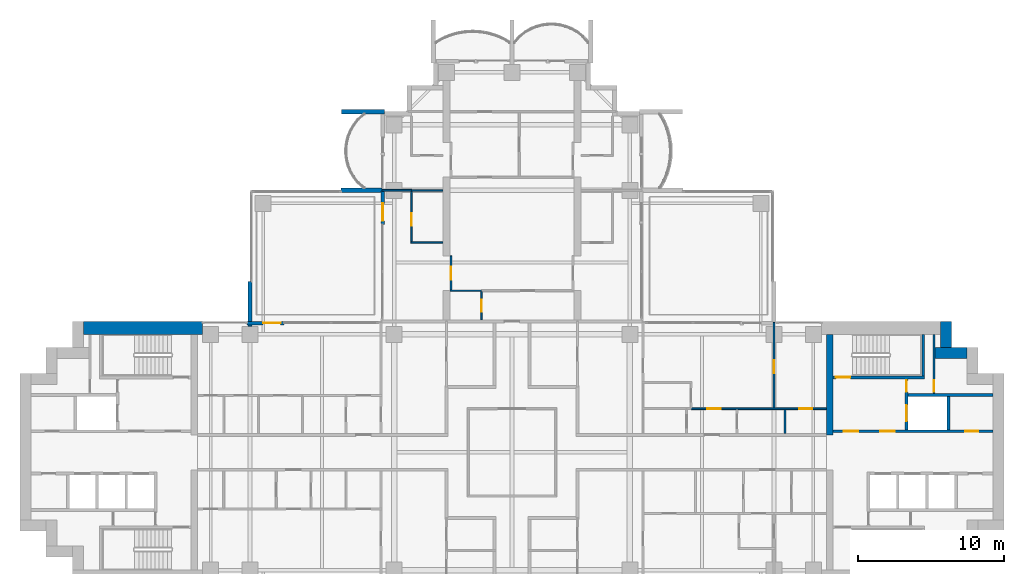
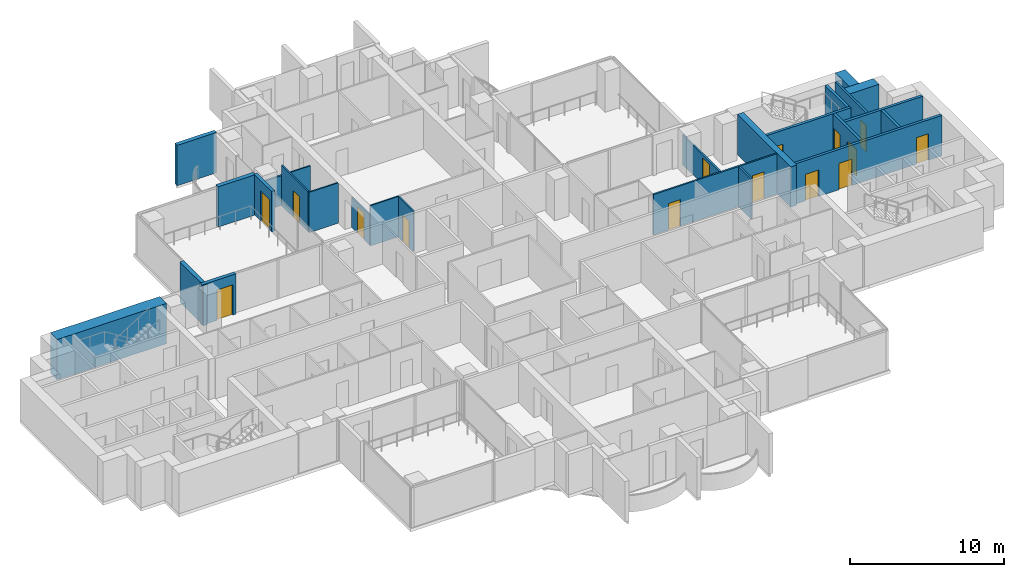
# One storey, part 13 of 19: 26 walls, 15 doors, 15 openings.
"""IFC4 building model written with IfcOpenShell, lengths in metres."""

from ifc_helpers import new_model, si_unit, direction, frame, frame_2d, origin, place, context, subcontext, project, spatial, rectangle, extrude, material, layer, layer_set, type_object, element, fill, save


model = new_model("IFC4")

# Units and contexts
model_context = context("Model", 3, precision=1e-05, world=origin(), true_north=direction((0.0, 1.0)))
body_context = subcontext(model_context, "Body", "Model", "MODEL_VIEW")
ifc_project = project(units=[si_unit("LENGTHUNIT", "METRE"), si_unit("AREAUNIT", "SQUARE_METRE"), si_unit("VOLUMEUNIT", "CUBIC_METRE"), si_unit("PLANEANGLEUNIT", "RADIAN"), si_unit("MASSUNIT", "GRAM", prefix="KILO")], contexts=[model_context])

# Site, building, storey
site_placement = place(None, origin())
site = spatial("IfcSite", under=ifc_project, at=site_placement, CompositionType="ELEMENT")
building_placement = place(site_placement, origin())
building = spatial("IfcBuilding", under=site, at=building_placement, Name="Perihelion Cross Residences", CompositionType="ELEMENT")
storey_placement = place(building_placement, frame((0.0, 0.0, 151.39990234375)))
storey = spatial("IfcBuildingStorey", under=building, at=storey_placement, Name="L37", CompositionType="ELEMENT", Elevation=151.39990234375)

# Wall, opening, door
ifc_material_1 = material(Name="Concrete C30/37, bronze-clad", Category="concrete")
ifc_layer_1 = layer(ifc_material_1, 0.25)
ifc_layer_set_1 = layer_set([ifc_layer_1], Name="Bronze-clad pier wall 250")
wall_type_1 = type_object("IfcWallType", Name="Bronze-clad pier wall 250", PredefinedType="SOLIDWALL", material=ifc_layer_set_1)
wall_1_placement = place(storey_placement, frame((-8.875, 17.93994140625, 0.0), z_axis=(0.0, 0.0, 1.0), x_axis=(0.0, -1.0, 0.0)))
wall_1 = element("IfcWall", 1, at=wall_1_placement, inside=storey, type_object=wall_type_1, Name="Wall FW1 L37 north side west bay 2 pier", PredefinedType="SOLIDWALL", context=body_context, shape_type="SweptSolid", body=[
    extrude(rectangle(XDim=2.2900390625, YDim=0.25, at=frame_2d((1.14501953125, 0.0))), origin(), (0.0, 0.0, 1.0), 3.2001953125),
])
opening_1_placement = place(wall_1_placement, frame((0.840087890625, 0.0, 0.0)))
opening_1 = element("IfcOpeningElement", 2, at=opening_1_placement, cuts=wall_1, Name="Opening L37.E07", PredefinedType="OPENING", context=body_context, shape_type="SweptSolid", body=[
    extrude(rectangle(XDim=1.199951171875, YDim=2.39990234375, at=frame_2d((0.60009765625, 1.199951171875))), frame((0.0, 0.135009765625, 0.0), z_axis=(0.0, -1.0, 0.0), x_axis=(1.0, 0.0, 0.0)), (0.0, 0.0, 1.0), 0.27001953125),
])
ifc_material_2 = material(Name="Bronze anodised aluminium, glazed", Category="aluminium")
door_type_1 = type_object("IfcDoorType", Name="Balcony door 1200 x 2400", OperationType="NOTDEFINED", PredefinedType="DOOR", material=ifc_material_2)
door_1_placement = place(opening_1_placement, origin())
door_1 = element("IfcDoor", 3, at=door_1_placement, inside=storey, type_object=door_type_1, Name="Door L37.E07 north side west bay 2", OperationType="SINGLE_SWING_RIGHT", OverallHeight=2.39990234375, OverallWidth=1.199951171875, PredefinedType="DOOR", context=body_context, shape_type="SweptSolid", body=[
    extrude(rectangle(XDim=1.199951171875, YDim=2.39990234375, at=frame_2d((0.60009765625, 1.199951171875))), frame((0.0, 0.02490234375, 0.0), z_axis=(0.0, -1.0, 0.0), x_axis=(1.0, 0.0, 0.0)), (0.0, 0.0, 1.0), 0.050048828125),
])
fill(opening_1, door_1)

wall_2_placement = place(storey_placement, frame((-15.64990234375, 8.875, 0.0), z_axis=(0.0, 0.0, 1.0), x_axis=(-1.0, 0.0, 0.0)))
wall_2 = element("IfcWall", 4, at=wall_2_placement, inside=storey, type_object=wall_type_1, Name="Wall FW1 L37 west side north bay 1 pier", PredefinedType="SOLIDWALL", context=body_context, shape_type="SweptSolid", body=[
    extrude(rectangle(XDim=2.550048828125, YDim=0.25, at=frame_2d((1.27490234375, 0.0))), origin(), (0.0, 0.0, 1.0), 3.2001953125),
])
opening_2_placement = place(wall_2_placement, frame((0.25, 0.0, 0.0)))
opening_2 = element("IfcOpeningElement", 5, at=opening_2_placement, cuts=wall_2, Name="Opening L37.E08", PredefinedType="OPENING", context=body_context, shape_type="SweptSolid", body=[
    extrude(rectangle(XDim=1.199951171875, YDim=2.39990234375, at=frame_2d((0.60009765625, 1.199951171875))), frame((0.0, 0.135009765625, 0.0), z_axis=(0.0, -1.0, 0.0), x_axis=(1.0, 0.0, 0.0)), (0.0, 0.0, 1.0), 0.27001953125),
])
door_2_placement = place(opening_2_placement, origin())
door_2 = element("IfcDoor", 6, at=door_2_placement, inside=storey, type_object=door_type_1, Name="Door L37.E08 west side north bay 1", OperationType="SINGLE_SWING_LEFT", OverallHeight=2.39990234375, OverallWidth=1.199951171875, PredefinedType="DOOR", context=body_context, shape_type="SweptSolid", body=[
    extrude(rectangle(XDim=1.199951171875, YDim=2.39990234375, at=frame_2d((0.60009765625, 1.199951171875))), frame((0.0, 0.02490234375, 0.0), z_axis=(0.0, -1.0, 0.0), x_axis=(1.0, 0.0, 0.0)), (0.0, 0.0, 1.0), 0.050048828125),
])
fill(opening_2, door_2)

# Walls
ifc_material_3 = material(Name="Concrete C60/75", Category="concrete")
ifc_layer_2 = layer(ifc_material_3, 0.449951171875)
ifc_layer_set_2 = layer_set([ifc_layer_2], Name="Core wall, inner 450")
wall_type_2 = type_object("IfcWallType", Name="Core wall, inner 450", PredefinedType="SHEAR", material=ifc_layer_set_2)
wall_3_placement = place(storey_placement, frame((21.824951171875, 1.199951171875, 0.0), z_axis=(0.0, 0.0, 1.0), x_axis=(0.0, 1.0, 0.0)))
element("IfcWall", 7, at=wall_3_placement, inside=storey, type_object=wall_type_2, Name="East core core wall, inner", PredefinedType="SHEAR", context=body_context, shape_type="SweptSolid", body=[
    extrude(rectangle(XDim=6.900146484375, YDim=0.449951171875, at=frame_2d((3.4501953125, 0.0))), origin(), (0.0, 0.0, 1.0), 3.2001953125),
])
ifc_material_4 = material(Name="Concrete C60/75", Category="concrete")
ifc_layer_3 = layer(ifc_material_4, 0.75)
ifc_layer_set_3 = layer_set([ifc_layer_3], Name="Core wall, outer 750")
wall_type_3 = type_object("IfcWallType", Name="Core wall, outer 750", PredefinedType="SHEAR", material=ifc_layer_set_3)
wall_4_placement = place(storey_placement, frame((29.074951171875, 6.824951171875, 0.0), z_axis=(0.0, 0.0, 1.0), x_axis=(1.0, 0.0, 0.0)))
element("IfcWall", 8, at=wall_4_placement, inside=storey, type_object=wall_type_3, Name="East core core wall, outer", PredefinedType="SHEAR", context=body_context, shape_type="SweptSolid", body=[
    extrude(rectangle(XDim=2.175048828125, YDim=0.75, at=frame_2d((1.08740234375, 0.0))), origin(), (0.0, 0.0, 1.0), 3.2001953125),
])
wall_5_placement = place(storey_placement, frame((29.824951171875, 7.199951171875, 0.0), z_axis=(0.0, 0.0, 1.0), x_axis=(0.0, 1.0, 0.0)))
element("IfcWall", 9, at=wall_5_placement, inside=storey, type_object=wall_type_3, Name="East core core wall, outer", PredefinedType="SHEAR", context=body_context, shape_type="SweptSolid", body=[
    extrude(rectangle(XDim=1.800048828125, YDim=0.75, at=frame_2d((0.89990234375, 0.0))), origin(), (0.0, 0.0, 1.0), 3.2001953125),
])
ifc_material_5 = material(Name="Concrete C60/75", Category="concrete")
ifc_layer_4 = layer(ifc_material_5, 0.89990234375)
ifc_layer_set_4 = layer_set([ifc_layer_4], Name="Core wall, outer 900")
wall_type_4 = type_object("IfcWallType", Name="Core wall, outer 900", PredefinedType="SHEAR", material=ifc_layer_set_4)
wall_6_placement = place(storey_placement, frame((-29.449951171875, 8.550048828125, 0.0), z_axis=(0.0, 0.0, 1.0), x_axis=(1.0, 0.0, 0.0)))
element("IfcWall", 10, at=wall_6_placement, inside=storey, type_object=wall_type_4, Name="West core core wall, outer", PredefinedType="SHEAR", context=body_context, shape_type="SweptSolid", body=[
    extrude(rectangle(XDim=8.199951171875, YDim=0.89990234375, at=frame_2d((4.10009765625, 0.0))), origin(), (0.0, 0.0, 1.0), 3.2001953125),
])

# Wall, opening, door
ifc_material_6 = material(Name="Plasterboard partition")
ifc_layer_5 = layer(ifc_material_6, 0.1201171875)
ifc_layer_set_5 = layer_set([ifc_layer_5], Name="Infill panel 120")
wall_type_5 = type_object("IfcWallType", Name="Infill panel 120", PredefinedType="PARTITIONING", material=ifc_layer_set_5)
wall_7_placement = place(storey_placement, frame((-4.18994140625, 11.10009765625, 0.0), z_axis=(0.0, 0.0, 1.0), x_axis=(0.0, 1.0, 0.0)))
wall_7 = element("IfcWall", 11, at=wall_7_placement, inside=storey, type_object=wall_type_5, Name="Partition L37 WI03", PredefinedType="PARTITIONING", context=body_context, shape_type="SweptSolid", body=[
    extrude(rectangle(XDim=2.39990234375, YDim=0.1201171875, at=frame_2d((1.199951171875, 0.0))), origin(), (0.0, 0.0, 1.0), 2.400146484375),
])
opening_3_placement = place(wall_7_placement, frame((0.75, 0.0, 0.0)))
opening_3 = element("IfcOpeningElement", 12, at=opening_3_placement, cuts=wall_7, Name="Opening L37.A56", PredefinedType="OPENING", context=body_context, shape_type="SweptSolid", body=[
    extrude(rectangle(XDim=0.89990234375, YDim=2.10009765625, at=frame_2d((0.449951171875, 1.050048828125))), frame((0.0, 0.070068359375, 0.0), z_axis=(0.0, -1.0, 0.0), x_axis=(1.0, 0.0, 0.0)), (0.0, 0.0, 1.0), 0.14013671875),
])
ifc_material_7 = material(Name="Timber door leaf", Category="wood")
door_type_2 = type_object("IfcDoorType", Name="Interior room door 900 x 2100", OperationType="SINGLE_SWING_LEFT", PredefinedType="DOOR", material=ifc_material_7)
door_3_placement = place(opening_3_placement, origin())
door_3 = element("IfcDoor", 13, at=door_3_placement, inside=storey, type_object=door_type_2, Name="Door L37.A56", OperationType="SINGLE_SWING_LEFT", OverallHeight=2.10009765625, OverallWidth=0.89990234375, PredefinedType="DOOR", context=body_context, shape_type="SweptSolid", body=[
    extrude(rectangle(XDim=0.89990234375, YDim=2.10009765625, at=frame_2d((0.449951171875, 1.050048828125))), frame((0.0, 0.02490234375, 0.0), z_axis=(0.0, -1.0, 0.0), x_axis=(1.0, 0.0, 0.0)), (0.0, 0.0, 1.0), 0.050048828125),
])
fill(opening_3, door_3)

# Wall, openings, doors
ifc_material_8 = material(Name="Plasterboard partition")
ifc_layer_6 = layer(ifc_material_8, 0.1201171875)
ifc_layer_set_6 = layer_set([ifc_layer_6], Name="Partition wall 120")
wall_type_6 = type_object("IfcWallType", Name="Partition wall 120", PredefinedType="PARTITIONING", material=ifc_layer_set_6)
wall_8_placement = place(storey_placement, frame((12.300048828125, 3.0, 0.0), z_axis=(0.0, 0.0, 1.0), x_axis=(1.0, 0.0, 0.0)))
wall_8 = element("IfcWall", 14, at=wall_8_placement, inside=storey, type_object=wall_type_6, Name="Partition L37 W027", PredefinedType="PARTITIONING", context=body_context, shape_type="SweptSolid", body=[
    extrude(rectangle(XDim=9.300048828125, YDim=0.1201171875, at=frame_2d((4.64990234375, 0.0))), origin(), (0.0, 0.0, 1.0), 3.2001953125),
])
opening_4_placement = place(wall_8_placement, frame((1.125, 0.0, 0.0)))
opening_4 = element("IfcOpeningElement", 15, at=opening_4_placement, cuts=wall_8, Name="Opening L37.A06", PredefinedType="OPENING", context=body_context, shape_type="SweptSolid", body=[
    extrude(rectangle(XDim=0.89990234375, YDim=2.10009765625, at=frame_2d((0.449951171875, 1.050048828125))), frame((0.0, 0.070068359375, 0.0), z_axis=(0.0, -1.0, 0.0), x_axis=(1.0, 0.0, 0.0)), (0.0, 0.0, 1.0), 0.14013671875),
])
opening_5_placement = place(wall_8_placement, frame((7.425048828125, 0.0, 0.0)))
opening_5 = element("IfcOpeningElement", 16, at=opening_5_placement, cuts=wall_8, Name="Opening L37.A09", PredefinedType="OPENING", context=body_context, shape_type="SweptSolid", body=[
    extrude(rectangle(XDim=0.89990234375, YDim=2.10009765625, at=frame_2d((0.449951171875, 1.050048828125))), frame((0.0, 0.070068359375, 0.0), z_axis=(0.0, -1.0, 0.0), x_axis=(1.0, 0.0, 0.0)), (0.0, 0.0, 1.0), 0.14013671875),
])
door_4_placement = place(opening_4_placement, origin())
door_4 = element("IfcDoor", 17, at=door_4_placement, inside=storey, type_object=door_type_2, Name="Door L37.A06", OperationType="SINGLE_SWING_RIGHT", OverallHeight=2.10009765625, OverallWidth=0.89990234375, PredefinedType="DOOR", context=body_context, shape_type="SweptSolid", body=[
    extrude(rectangle(XDim=0.89990234375, YDim=2.10009765625, at=frame_2d((0.449951171875, 1.050048828125))), frame((0.0, 0.02490234375, 0.0), z_axis=(0.0, -1.0, 0.0), x_axis=(1.0, 0.0, 0.0)), (0.0, 0.0, 1.0), 0.050048828125),
])
fill(opening_4, door_4)
door_5_placement = place(opening_5_placement, origin())
door_5 = element("IfcDoor", 18, at=door_5_placement, inside=storey, type_object=door_type_2, Name="Door L37.A09", OperationType="SINGLE_SWING_LEFT", OverallHeight=2.10009765625, OverallWidth=0.89990234375, PredefinedType="DOOR", context=body_context, shape_type="SweptSolid", body=[
    extrude(rectangle(XDim=0.89990234375, YDim=2.10009765625, at=frame_2d((0.449951171875, 1.050048828125))), frame((0.0, 0.02490234375, 0.0), z_axis=(0.0, -1.0, 0.0), x_axis=(1.0, 0.0, 0.0)), (0.0, 0.0, 1.0), 0.050048828125),
])
fill(opening_5, door_5)

# Wall
wall_9_placement = place(storey_placement, frame((18.75, 2.93994140625, 0.0), z_axis=(0.0, 0.0, 1.0), x_axis=(0.0, -1.0, 0.0)))
element("IfcWall", 19, at=wall_9_placement, inside=storey, type_object=wall_type_6, Name="Partition L37 W028", PredefinedType="PARTITIONING", context=body_context, shape_type="SweptSolid", body=[
    extrude(rectangle(XDim=1.639892578125, YDim=0.1201171875, at=frame_2d((0.81982421875, 0.0))), origin(), (0.0, 0.0, 1.0), 3.2001953125),
])

# Wall, opening, door
wall_10_placement = place(storey_placement, frame((18.0, 8.919921875, 0.0), z_axis=(0.0, 0.0, 1.0), x_axis=(0.0, -1.0, 0.0)))
wall_10 = element("IfcWall", 20, at=wall_10_placement, inside=storey, type_object=wall_type_6, Name="Partition L37 W031", PredefinedType="PARTITIONING", context=body_context, shape_type="SweptSolid", body=[
    extrude(rectangle(XDim=5.85986328125, YDim=0.1201171875, at=frame_2d((2.929931640625, 0.0))), origin(), (0.0, 0.0, 1.0), 2.364013671875),
])
opening_6_placement = place(wall_10_placement, frame((2.590087890625, 0.0, 0.0)))
opening_6 = element("IfcOpeningElement", 21, at=opening_6_placement, cuts=wall_10, Name="Opening L37.A02", PredefinedType="OPENING", context=body_context, shape_type="SweptSolid", body=[
    extrude(rectangle(XDim=0.89990234375, YDim=2.10009765625, at=frame_2d((0.449951171875, 1.050048828125))), frame((0.0, 0.070068359375, 0.0), z_axis=(0.0, -1.0, 0.0), x_axis=(1.0, 0.0, 0.0)), (0.0, 0.0, 1.0), 0.14013671875),
])
door_6_placement = place(opening_6_placement, origin())
door_6 = element("IfcDoor", 22, at=door_6_placement, inside=storey, type_object=door_type_2, Name="Door L37.A02", OperationType="SINGLE_SWING_LEFT", OverallHeight=2.10009765625, OverallWidth=0.89990234375, PredefinedType="DOOR", context=body_context, shape_type="SweptSolid", body=[
    extrude(rectangle(XDim=0.89990234375, YDim=2.10009765625, at=frame_2d((0.449951171875, 1.050048828125))), frame((0.0, 0.02490234375, 0.0), z_axis=(0.0, -1.0, 0.0), x_axis=(1.0, 0.0, 0.0)), (0.0, 0.0, 1.0), 0.050048828125),
])
fill(opening_6, door_6)

# Walls
wall_11_placement = place(storey_placement, frame((-8.919921875, 18.0, 0.0), z_axis=(0.0, 0.0, 1.0), x_axis=(1.0, 0.0, 0.0)))
element("IfcWall", 23, at=wall_11_placement, inside=storey, type_object=wall_type_6, Name="Partition L37 W082", PredefinedType="PARTITIONING", context=body_context, shape_type="SweptSolid", body=[
    extrude(rectangle(XDim=2.02001953125, YDim=0.1201171875, at=frame_2d((1.010009765625, 0.0))), origin(), (0.0, 0.0, 1.0), 2.364013671875),
])
ifc_material_9 = material(Name="Precast concrete C50/60", Category="concrete")
ifc_layer_7 = layer(ifc_material_9, 0.300048828125)
ifc_layer_set_7 = layer_set([ifc_layer_7], Name="Precast concrete C50/60 blade wall 300")
wall_type_7 = type_object("IfcWallType", Name="Precast concrete C50/60 blade wall 300", PredefinedType="SOLIDWALL", material=ifc_layer_set_7)
wall_12_placement = place(storey_placement, frame((-18.0, 8.64990234375, 0.0), z_axis=(0.0, 0.0, 1.0), x_axis=(0.0, 1.0, 0.0)))
element("IfcWall", 24, at=wall_12_placement, inside=storey, type_object=wall_type_7, Name="Wall BL1 L37 no. 2", PredefinedType="SOLIDWALL", context=body_context, shape_type="SweptSolid", body=[
    extrude(rectangle(XDim=3.090087890625, YDim=0.300048828125, at=frame_2d((1.544921875, 0.0))), origin(), (0.0, 0.0, 1.0), 3.2001953125),
])
wall_13_placement = place(storey_placement, frame((-8.919921875, 18.0, 0.0), z_axis=(0.0, 0.0, 1.0), x_axis=(-1.0, 0.0, 0.0)))
element("IfcWall", 25, at=wall_13_placement, inside=storey, type_object=wall_type_7, Name="Wall BL1 L37 no. 6", PredefinedType="SOLIDWALL", context=body_context, shape_type="SweptSolid", body=[
    extrude(rectangle(XDim=2.820068359375, YDim=0.300048828125, at=frame_2d((1.41015625, 0.0))), origin(), (0.0, 0.0, 1.0), 3.2001953125),
])
wall_14_placement = place(storey_placement, frame((-8.75, 23.39990234375, 0.0), z_axis=(0.0, 0.0, 1.0), x_axis=(-1.0, 0.0, 0.0)))
element("IfcWall", 26, at=wall_14_placement, inside=storey, type_object=wall_type_7, Name="Wall BL1 L37 no. 7", PredefinedType="SOLIDWALL", context=body_context, shape_type="SweptSolid", body=[
    extrude(rectangle(XDim=2.949951171875, YDim=0.300048828125, at=frame_2d((1.47509765625, 0.0))), origin(), (0.0, 0.0, 1.0), 3.2001953125),
])

# Wall, opening, door
ifc_material_10 = material(Name="Fire-rated board on steel stud", Category="steel")
ifc_layer_8 = layer(ifc_material_10, 0.14990234375)
ifc_layer_set_8 = layer_set([ifc_layer_8], Name="Riser wall 150")
wall_type_8 = type_object("IfcWallType", Name="Riser wall 150", PredefinedType="PARTITIONING", material=ifc_layer_set_8)
wall_15_placement = place(storey_placement, frame((29.0, 4.050048828125, 0.0), z_axis=(0.0, 0.0, 1.0), x_axis=(0.0, 1.0, 0.0)))
wall_15 = element("IfcWall", 27, at=wall_15_placement, inside=storey, type_object=wall_type_8, Name="East core riser wall", PredefinedType="PARTITIONING", context=body_context, shape_type="SweptSolid", body=[
    extrude(rectangle(XDim=4.050048828125, YDim=0.14990234375, at=frame_2d((2.02490234375, 0.0))), origin(), (0.0, 0.0, 1.0), 3.2001953125),
])
opening_7_placement = place(wall_15_placement, frame((0.10009765625, 0.0, 0.0)))
opening_7 = element("IfcOpeningElement", 28, at=opening_7_placement, cuts=wall_15, Name="Opening L37.C12", PredefinedType="OPENING", context=body_context, shape_type="SweptSolid", body=[
    extrude(rectangle(XDim=0.800048828125, YDim=2.10009765625, at=frame_2d((0.39990234375, 1.050048828125))), frame((0.0, 0.0849609375, 0.0), z_axis=(0.0, -1.0, 0.0), x_axis=(1.0, 0.0, 0.0)), (0.0, 0.0, 1.0), 0.169921875),
])
ifc_material_11 = material(Name="Steel, powder coated", Category="steel")
door_type_3 = type_object("IfcDoorType", Name="Riser door 800", OperationType="SINGLE_SWING_LEFT", PredefinedType="DOOR", material=ifc_material_11)
door_7_placement = place(opening_7_placement, origin())
door_7 = element("IfcDoor", 29, at=door_7_placement, inside=storey, type_object=door_type_3, Name="East core riser door", OperationType="SINGLE_SWING_LEFT", OverallHeight=2.10009765625, OverallWidth=0.800048828125, PredefinedType="DOOR", context=body_context, shape_type="SweptSolid", body=[
    extrude(rectangle(XDim=0.800048828125, YDim=2.10009765625, at=frame_2d((0.39990234375, 1.050048828125))), frame((0.0, 0.02490234375, 0.0), z_axis=(0.0, -1.0, 0.0), x_axis=(1.0, 0.0, 0.0)), (0.0, 0.0, 1.0), 0.050048828125),
])
fill(opening_7, door_7)

# Wall, openings, doors
ifc_material_12 = material(Name="Concrete C50/60", Category="concrete")
ifc_layer_9 = layer(ifc_material_12, 0.199951171875)
ifc_layer_set_9 = layer_set([ifc_layer_9], Name="Shaft wall 200")
wall_type_9 = type_object("IfcWallType", Name="Shaft wall 200", PredefinedType="SOLIDWALL", material=ifc_layer_set_9)
wall_16_placement = place(storey_placement, frame((22.050048828125, 1.449951171875, 0.0), z_axis=(0.0, 0.0, 1.0), x_axis=(1.0, 0.0, 0.0)))
wall_16 = element("IfcWall", 30, at=wall_16_placement, inside=storey, type_object=wall_type_9, Name="East core shaft wall", PredefinedType="SOLIDWALL", context=body_context, shape_type="SweptSolid", body=[
    extrude(rectangle(XDim=11.0, YDim=0.199951171875, at=frame_2d((5.5, 0.0))), origin(), (0.0, 0.0, 1.0), 3.2001953125),
])
opening_8_placement = place(wall_16_placement, frame((0.75, 0.0, 0.0)))
opening_8 = element("IfcOpeningElement", 31, at=opening_8_placement, cuts=wall_16, Name="Opening L37.C07", PredefinedType="OPENING", context=body_context, shape_type="SweptSolid", body=[
    extrude(rectangle(XDim=1.0, YDim=2.10009765625, at=frame_2d((0.5, 1.050048828125))), frame((0.0, 0.10986328125, 0.0), z_axis=(0.0, -1.0, 0.0), x_axis=(1.0, 0.0, 0.0)), (0.0, 0.0, 1.0), 0.219970703125),
])
opening_9_placement = place(wall_16_placement, frame((3.25, 0.0, 0.0)))
opening_9 = element("IfcOpeningElement", 32, at=opening_9_placement, cuts=wall_16, Name="Opening L37.C09", PredefinedType="OPENING", context=body_context, shape_type="SweptSolid", body=[
    extrude(rectangle(XDim=1.0, YDim=2.10009765625, at=frame_2d((0.5, 1.050048828125))), frame((0.0, 0.10986328125, 0.0), z_axis=(0.0, -1.0, 0.0), x_axis=(1.0, 0.0, 0.0)), (0.0, 0.0, 1.0), 0.219970703125),
])
opening_10_placement = place(wall_16_placement, frame((9.074951171875, 0.0, 0.0)))
opening_10 = element("IfcOpeningElement", 33, at=opening_10_placement, cuts=wall_16, Name="Opening L37.C13", PredefinedType="OPENING", context=body_context, shape_type="SweptSolid", body=[
    extrude(rectangle(XDim=0.89990234375, YDim=2.10009765625, at=frame_2d((0.449951171875, 1.050048828125))), frame((0.0, 0.10986328125, 0.0), z_axis=(0.0, -1.0, 0.0), x_axis=(1.0, 0.0, 0.0)), (0.0, 0.0, 1.0), 0.219970703125),
])
ifc_material_13 = material(Name="Steel, powder coated", Category="steel")
door_type_4 = type_object("IfcDoorType", Name="Lobby door 1000", OperationType="SINGLE_SWING_LEFT", PredefinedType="DOOR", material=ifc_material_13)
door_8_placement = place(opening_8_placement, origin())
door_8 = element("IfcDoor", 34, at=door_8_placement, inside=storey, type_object=door_type_4, Name="East core firefighting lobby door", OperationType="SINGLE_SWING_LEFT", OverallHeight=2.10009765625, OverallWidth=1.0, PredefinedType="DOOR", context=body_context, shape_type="SweptSolid", body=[
    extrude(rectangle(XDim=1.0, YDim=2.10009765625, at=frame_2d((0.5, 1.050048828125))), frame((0.0, 0.02490234375, 0.0), z_axis=(0.0, -1.0, 0.0), x_axis=(1.0, 0.0, 0.0)), (0.0, 0.0, 1.0), 0.050048828125),
])
fill(opening_8, door_8)
door_9_placement = place(opening_9_placement, origin())
door_9 = element("IfcDoor", 35, at=door_9_placement, inside=storey, type_object=door_type_4, Name="East core firefighting lobby door", OperationType="SINGLE_SWING_LEFT", OverallHeight=2.10009765625, OverallWidth=1.0, PredefinedType="DOOR", context=body_context, shape_type="SweptSolid", body=[
    extrude(rectangle(XDim=1.0, YDim=2.10009765625, at=frame_2d((0.5, 1.050048828125))), frame((0.0, 0.02490234375, 0.0), z_axis=(0.0, -1.0, 0.0), x_axis=(1.0, 0.0, 0.0)), (0.0, 0.0, 1.0), 0.050048828125),
])
fill(opening_9, door_9)
ifc_material_14 = material(Name="Steel, powder coated", Category="steel")
door_type_5 = type_object("IfcDoorType", Name="Service room door 900", OperationType="SINGLE_SWING_LEFT", PredefinedType="DOOR", material=ifc_material_14)
door_10_placement = place(opening_10_placement, origin())
door_10 = element("IfcDoor", 36, at=door_10_placement, inside=storey, type_object=door_type_5, Name="East core service room door", OperationType="SINGLE_SWING_LEFT", OverallHeight=2.10009765625, OverallWidth=0.89990234375, PredefinedType="DOOR", context=body_context, shape_type="SweptSolid", body=[
    extrude(rectangle(XDim=0.89990234375, YDim=2.10009765625, at=frame_2d((0.449951171875, 1.050048828125))), frame((0.0, 0.02490234375, 0.0), z_axis=(0.0, -1.0, 0.0), x_axis=(1.0, 0.0, 0.0)), (0.0, 0.0, 1.0), 0.050048828125),
])
fill(opening_10, door_10)

# Wall
wall_17_placement = place(storey_placement, frame((27.199951171875, 3.949951171875, 0.0), z_axis=(0.0, 0.0, 1.0), x_axis=(1.0, 0.0, 0.0)))
element("IfcWall", 37, at=wall_17_placement, inside=storey, type_object=wall_type_9, Name="East core shaft wall", PredefinedType="SOLIDWALL", context=body_context, shape_type="SweptSolid", body=[
    extrude(rectangle(XDim=5.85009765625, YDim=0.199951171875, at=frame_2d((2.925048828125, 0.0))), origin(), (0.0, 0.0, 1.0), 3.2001953125),
])

# Wall, openings, doors
wall_18_placement = place(storey_placement, frame((27.10009765625, 1.550048828125, 0.0), z_axis=(0.0, 0.0, 1.0), x_axis=(0.0, 1.0, 0.0)))
wall_18 = element("IfcWall", 38, at=wall_18_placement, inside=storey, type_object=wall_type_9, Name="East core shaft wall", PredefinedType="SOLIDWALL", context=body_context, shape_type="SweptSolid", body=[
    extrude(rectangle(XDim=3.5, YDim=0.199951171875, at=frame_2d((1.75, 0.0))), origin(), (0.0, 0.0, 1.0), 3.2001953125),
])
opening_11_placement = place(wall_18_placement, frame((0.60009765625, 0.0, 0.0)))
opening_11 = element("IfcOpeningElement", 39, at=opening_11_placement, cuts=wall_18, Name="Opening L37.C02", PredefinedType="OPENING", context=body_context, shape_type="SweptSolid", body=[
    extrude(rectangle(XDim=1.10009765625, YDim=2.10009765625, at=frame_2d((0.550048828125, 1.050048828125))), frame((0.0, 0.10986328125, 0.0), z_axis=(0.0, -1.0, 0.0), x_axis=(1.0, 0.0, 0.0)), (0.0, 0.0, 1.0), 0.219970703125),
])
opening_12_placement = place(wall_18_placement, frame((2.60009765625, 0.0, 0.0)))
opening_12 = element("IfcOpeningElement", 40, at=opening_12_placement, cuts=wall_18, Name="Opening L37.C10", PredefinedType="OPENING", context=body_context, shape_type="SweptSolid", body=[
    extrude(rectangle(XDim=0.800048828125, YDim=2.10009765625, at=frame_2d((0.39990234375, 1.050048828125))), frame((0.0, 0.10986328125, 0.0), z_axis=(0.0, -1.0, 0.0), x_axis=(1.0, 0.0, 0.0)), (0.0, 0.0, 1.0), 0.219970703125),
])
ifc_material_15 = material(Name="Stainless steel", Category="steel")
door_type_6 = type_object("IfcDoorType", Name="Landing door, firefighting lift 1100", OperationType="DOUBLE_DOOR_SLIDING", PredefinedType="DOOR", material=ifc_material_15)
door_11_placement = place(opening_11_placement, origin())
door_11 = element("IfcDoor", 41, at=door_11_placement, inside=storey, type_object=door_type_6, Name="Landing door, East core firefighting and service lift", OperationType="DOUBLE_DOOR_SLIDING", OverallHeight=2.10009765625, OverallWidth=1.10009765625, PredefinedType="DOOR", context=body_context, shape_type="SweptSolid", body=[
    extrude(rectangle(XDim=1.10009765625, YDim=2.10009765625, at=frame_2d((0.550048828125, 1.050048828125))), frame((0.0, 0.02490234375, 0.0), z_axis=(0.0, -1.0, 0.0), x_axis=(1.0, 0.0, 0.0)), (0.0, 0.0, 1.0), 0.050048828125),
])
fill(opening_11, door_11)
door_12_placement = place(opening_12_placement, origin())
door_12 = element("IfcDoor", 42, at=door_12_placement, inside=storey, type_object=door_type_3, Name="East core riser door", OperationType="SINGLE_SWING_LEFT", OverallHeight=2.10009765625, OverallWidth=0.800048828125, PredefinedType="DOOR", context=body_context, shape_type="SweptSolid", body=[
    extrude(rectangle(XDim=0.800048828125, YDim=2.10009765625, at=frame_2d((0.39990234375, 1.050048828125))), frame((0.0, 0.02490234375, 0.0), z_axis=(0.0, -1.0, 0.0), x_axis=(1.0, 0.0, 0.0)), (0.0, 0.0, 1.0), 0.050048828125),
])
fill(opening_12, door_12)

# Wall
wall_19_placement = place(storey_placement, frame((30.0, 1.550048828125, 0.0), z_axis=(0.0, 0.0, 1.0), x_axis=(0.0, 1.0, 0.0)))
element("IfcWall", 43, at=wall_19_placement, inside=storey, type_object=wall_type_9, Name="East core shaft wall", PredefinedType="SOLIDWALL", context=body_context, shape_type="SweptSolid", body=[
    extrude(rectangle(XDim=2.300048828125, YDim=0.199951171875, at=frame_2d((1.14990234375, 0.0))), origin(), (0.0, 0.0, 1.0), 3.2001953125),
])

# Wall, opening, door
ifc_material_16 = material(Name="Concrete C50/60", Category="concrete")
ifc_layer_10 = layer(ifc_material_16, 0.199951171875)
ifc_layer_set_10 = layer_set([ifc_layer_10], Name="Stair wall 200")
wall_type_10 = type_object("IfcWallType", Name="Stair wall 200", PredefinedType="SOLIDWALL", material=ifc_layer_set_10)
wall_20_placement = place(storey_placement, frame((22.050048828125, 5.14990234375, 0.0), z_axis=(0.0, 0.0, 1.0), x_axis=(1.0, 0.0, 0.0)))
wall_20 = element("IfcWall", 44, at=wall_20_placement, inside=storey, type_object=wall_type_10, Name="East core stair wall", PredefinedType="SOLIDWALL", context=body_context, shape_type="SweptSolid", body=[
    extrude(rectangle(XDim=6.300048828125, YDim=0.199951171875, at=frame_2d((3.14990234375, 0.0))), origin(), (0.0, 0.0, 1.0), 3.2001953125),
])
opening_13_placement = place(wall_20_placement, frame((0.199951171875, 0.0, 0.0)))
opening_13 = element("IfcOpeningElement", 45, at=opening_13_placement, cuts=wall_20, Name="Opening L37.C06", PredefinedType="OPENING", context=body_context, shape_type="SweptSolid", body=[
    extrude(rectangle(XDim=1.0, YDim=2.10009765625, at=frame_2d((0.5, 1.050048828125))), frame((0.0, 0.10986328125, 0.0), z_axis=(0.0, -1.0, 0.0), x_axis=(1.0, 0.0, 0.0)), (0.0, 0.0, 1.0), 0.219970703125),
])
ifc_material_17 = material(Name="Steel, powder coated", Category="steel")
door_type_7 = type_object("IfcDoorType", Name="Stair door 1000", OperationType="SINGLE_SWING_LEFT", PredefinedType="DOOR", material=ifc_material_17)
door_13_placement = place(opening_13_placement, origin())
door_13 = element("IfcDoor", 46, at=door_13_placement, inside=storey, type_object=door_type_7, Name="East core stair door", OperationType="SINGLE_SWING_LEFT", OverallHeight=2.10009765625, OverallWidth=1.0, PredefinedType="DOOR", context=body_context, shape_type="SweptSolid", body=[
    extrude(rectangle(XDim=1.0, YDim=2.10009765625, at=frame_2d((0.5, 1.050048828125))), frame((0.0, 0.02490234375, 0.0), z_axis=(0.0, -1.0, 0.0), x_axis=(1.0, 0.0, 0.0)), (0.0, 0.0, 1.0), 0.050048828125),
])
fill(opening_13, door_13)

# Wall
wall_21_placement = place(storey_placement, frame((28.25, 5.25, 0.0), z_axis=(0.0, 0.0, 1.0), x_axis=(0.0, 1.0, 0.0)))
element("IfcWall", 47, at=wall_21_placement, inside=storey, type_object=wall_type_10, Name="East core stair wall", PredefinedType="SOLIDWALL", context=body_context, shape_type="SweptSolid", body=[
    extrude(rectangle(XDim=2.85009765625, YDim=0.199951171875, at=frame_2d((1.425048828125, 0.0))), origin(), (0.0, 0.0, 1.0), 3.2001953125),
])

# Wall, opening, door
ifc_material_18 = material(Name="Plasterboard partition")
ifc_layer_11 = layer(ifc_material_18, 0.10009765625)
ifc_layer_set_11 = layer_set([ifc_layer_11], Name="Wet room wall 100")
wall_type_11 = type_object("IfcWallType", Name="Wet room wall 100", PredefinedType="PARTITIONING", material=ifc_layer_set_11)
wall_22_placement = place(storey_placement, frame((-2.10009765625, 9.10009765625, 0.0), z_axis=(0.0, 0.0, 1.0), x_axis=(0.0, 1.0, 0.0)))
wall_22 = element("IfcWall", 48, at=wall_22_placement, inside=storey, type_object=wall_type_11, Name="Partition L37 W067", PredefinedType="PARTITIONING", context=body_context, shape_type="SweptSolid", body=[
    extrude(rectangle(XDim=1.93994140625, YDim=0.10009765625, at=frame_2d((0.969970703125, 0.0))), origin(), (0.0, 0.0, 1.0), 3.2001953125),
])
opening_14_placement = place(wall_22_placement, frame((0.544921875, 0.0, 0.0)))
opening_14 = element("IfcOpeningElement", 49, at=opening_14_placement, cuts=wall_22, Name="Opening L37.A35", PredefinedType="OPENING", context=body_context, shape_type="SweptSolid", body=[
    extrude(rectangle(XDim=0.85009765625, YDim=2.10009765625, at=frame_2d((0.425048828125, 1.050048828125))), frame((0.0, 0.06005859375, 0.0), z_axis=(0.0, -1.0, 0.0), x_axis=(1.0, 0.0, 0.0)), (0.0, 0.0, 1.0), 0.1201171875),
])
ifc_material_19 = material(Name="Timber door leaf", Category="wood")
door_type_8 = type_object("IfcDoorType", Name="Interior bathroom door 850 x 2100", OperationType="SINGLE_SWING_LEFT", PredefinedType="DOOR", material=ifc_material_19)
door_14_placement = place(opening_14_placement, origin())
door_14 = element("IfcDoor", 50, at=door_14_placement, inside=storey, type_object=door_type_8, Name="Door L37.A35", OperationType="SINGLE_SWING_LEFT", OverallHeight=2.10009765625, OverallWidth=0.85009765625, PredefinedType="DOOR", context=body_context, shape_type="SweptSolid", body=[
    extrude(rectangle(XDim=0.85009765625, YDim=2.10009765625, at=frame_2d((0.425048828125, 1.050048828125))), frame((0.0, 0.02490234375, 0.0), z_axis=(0.0, -1.0, 0.0), x_axis=(1.0, 0.0, 0.0)), (0.0, 0.0, 1.0), 0.050048828125),
])
fill(opening_14, door_14)

# Wall
wall_23_placement = place(storey_placement, frame((-4.25, 11.10009765625, 0.0), z_axis=(0.0, 0.0, 1.0), x_axis=(1.0, 0.0, 0.0)))
element("IfcWall", 51, at=wall_23_placement, inside=storey, type_object=wall_type_11, Name="Partition L37 W069", PredefinedType="PARTITIONING", context=body_context, shape_type="SweptSolid", body=[
    extrude(rectangle(XDim=2.14990234375, YDim=0.10009765625, at=frame_2d((1.074951171875, 0.0))), origin(), (0.0, 0.0, 1.0), 3.2001953125),
])

# Wall, opening, door
wall_24_placement = place(storey_placement, frame((-6.89990234375, 17.93994140625, 0.0), z_axis=(0.0, 0.0, 1.0), x_axis=(0.0, -1.0, 0.0)))
wall_24 = element("IfcWall", 52, at=wall_24_placement, inside=storey, type_object=wall_type_11, Name="Partition L37 W080", PredefinedType="PARTITIONING", context=body_context, shape_type="SweptSolid", body=[
    extrude(rectangle(XDim=3.489990234375, YDim=0.10009765625, at=frame_2d((1.7451171875, 0.0))), origin(), (0.0, 0.0, 1.0), 3.2001953125),
])
opening_15_placement = place(wall_24_placement, frame((1.52001953125, 0.0, 0.0)))
opening_15 = element("IfcOpeningElement", 53, at=opening_15_placement, cuts=wall_24, Name="Opening L37.A42", PredefinedType="OPENING", context=body_context, shape_type="SweptSolid", body=[
    extrude(rectangle(XDim=0.85009765625, YDim=2.10009765625, at=frame_2d((0.425048828125, 1.050048828125))), frame((0.0, 0.06005859375, 0.0), z_axis=(0.0, -1.0, 0.0), x_axis=(1.0, 0.0, 0.0)), (0.0, 0.0, 1.0), 0.1201171875),
])
door_15_placement = place(opening_15_placement, origin())
door_15 = element("IfcDoor", 54, at=door_15_placement, inside=storey, type_object=door_type_8, Name="Door L37.A42", OperationType="SINGLE_SWING_RIGHT", OverallHeight=2.10009765625, OverallWidth=0.85009765625, PredefinedType="DOOR", context=body_context, shape_type="SweptSolid", body=[
    extrude(rectangle(XDim=0.85009765625, YDim=2.10009765625, at=frame_2d((0.425048828125, 1.050048828125))), frame((0.0, 0.02490234375, 0.0), z_axis=(0.0, -1.0, 0.0), x_axis=(1.0, 0.0, 0.0)), (0.0, 0.0, 1.0), 0.050048828125),
])
fill(opening_15, door_15)

# Walls
wall_25_placement = place(storey_placement, frame((-6.949951171875, 14.39990234375, 0.0), z_axis=(0.0, 0.0, 1.0), x_axis=(1.0, 0.0, 0.0)))
element("IfcWall", 55, at=wall_25_placement, inside=storey, type_object=wall_type_11, Name="Partition L37 W081", PredefinedType="PARTITIONING", context=body_context, shape_type="SweptSolid", body=[
    extrude(rectangle(XDim=2.199951171875, YDim=0.10009765625, at=frame_2d((1.10009765625, 0.0))), origin(), (0.0, 0.0, 1.0), 3.2001953125),
])
wall_26_placement = place(storey_placement, frame((-6.89990234375, 18.0, 0.0), z_axis=(0.0, 0.0, 1.0), x_axis=(1.0, 0.0, 0.0)))
element("IfcWall", 56, at=wall_26_placement, inside=storey, type_object=wall_type_11, Name="Partition L37 W083", PredefinedType="PARTITIONING", context=body_context, shape_type="SweptSolid", body=[
    extrude(rectangle(XDim=2.14990234375, YDim=0.10009765625, at=frame_2d((1.074951171875, 0.0))), origin(), (0.0, 0.0, 1.0), 2.364013671875),
])

save(model, "model.ifc")
